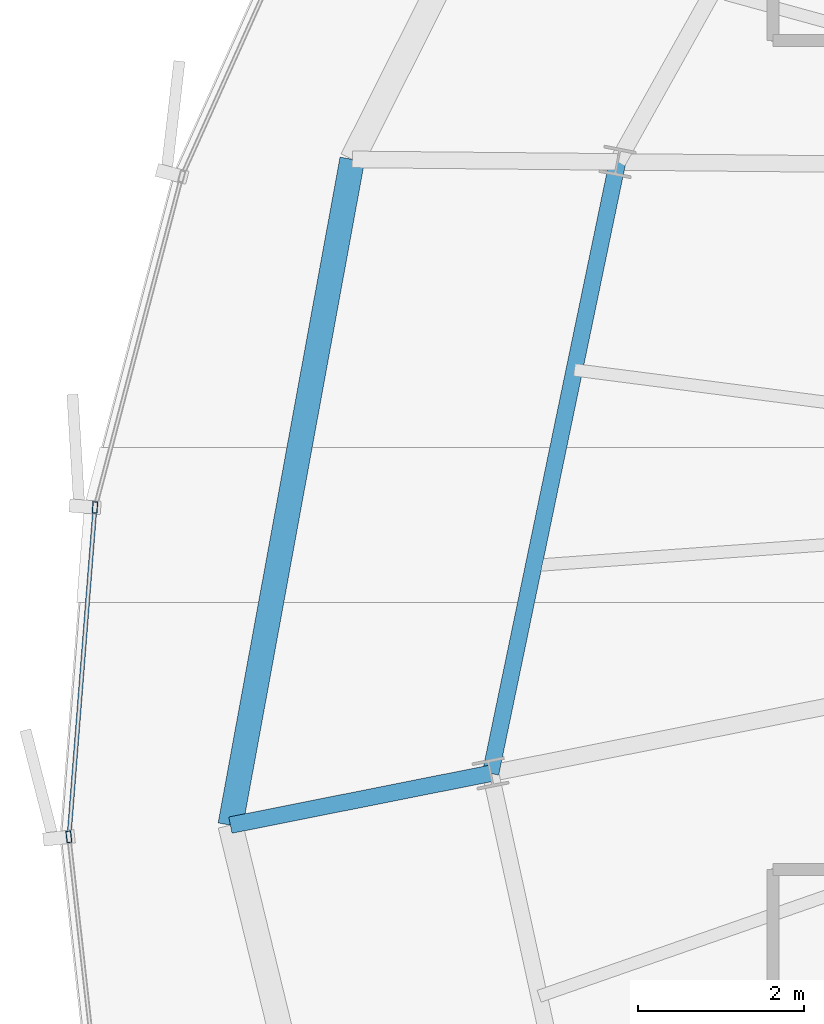
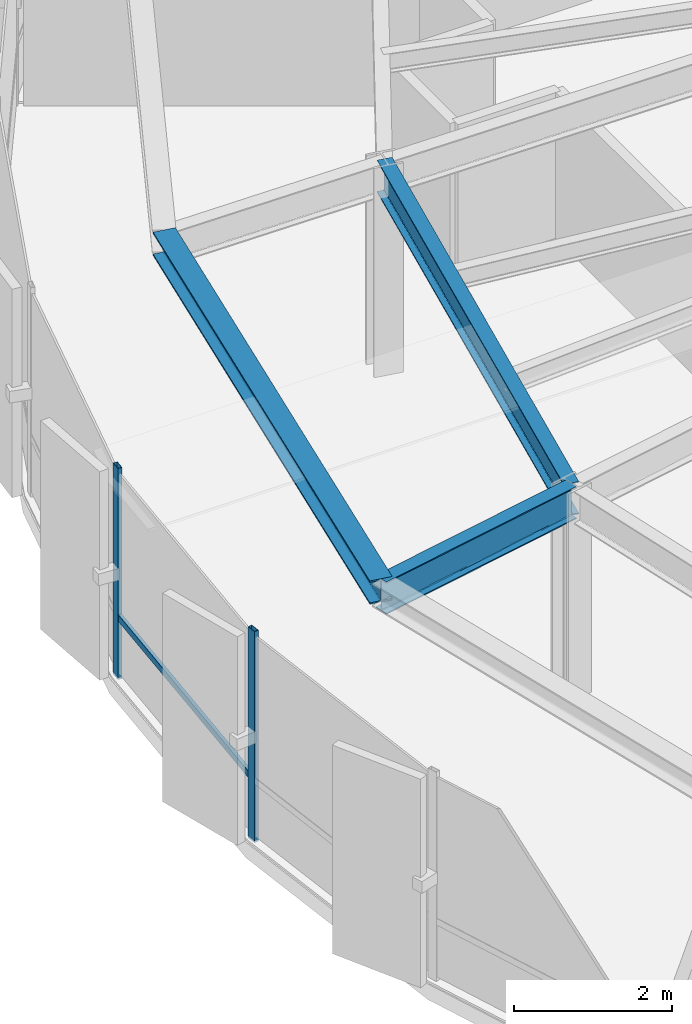
# One storey, part 9 of 35: 3 beams, 3 members, 1 element without a shape of its own.
"""IFC4 building model written with IfcOpenShell, lengths in metres."""

from ifc_helpers import new_model, si_unit, direction, frame, origin, origin_2d, place, context, subcontext, project, spatial, hollow_rectangle, i_section, extrude, source, transform, mapped, material, layer, layer_set, material_profile, profile_set, type_object, element, aggregate, save


model = new_model("IFC4")

# Units and contexts
model_context = context("Model", 3, precision=1e-05, world=origin(), true_north=direction((0.0, 1.0)))
body_context = subcontext(model_context, "Body", "Model", "MODEL_VIEW")
ifc_project = project(units=[si_unit("LENGTHUNIT", "METRE"), si_unit("AREAUNIT", "SQUARE_METRE"), si_unit("VOLUMEUNIT", "CUBIC_METRE"), si_unit("PLANEANGLEUNIT", "RADIAN"), si_unit("MASSUNIT", "GRAM", prefix="KILO"), si_unit("THERMODYNAMICTEMPERATUREUNIT", "KELVIN")], contexts=[model_context])

# Site, building, storey
site_placement = place(None, origin())
site = spatial("IfcSite", under=ifc_project, at=site_placement, CompositionType="ELEMENT")
building_placement = place(site_placement, origin())
building = spatial("IfcBuilding", under=site, at=building_placement, Name="Kethvar Cultural Tower", CompositionType="ELEMENT")
storey_placement = place(building_placement, frame((0.0, 0.0, 179.89990234375)))
storey = spatial("IfcBuildingStorey", under=building, at=storey_placement, Name="L46", CompositionType="ELEMENT", Elevation=179.89990234375)

# Beams
ifc_material_1 = material(Name="Steel S355J2", Category="steel")
ifc_material_profile_1 = material_profile(ifc_material_1, i_section(OverallWidth=0.199951171875, OverallDepth=0.5, WebThickness=0.01025390625, FlangeThickness=0.01611328125, FilletRadius=0.02099609375, at=origin_2d()), Name="Steel S355J2 — IPE500")
ifc_profile_set_1 = profile_set([ifc_material_profile_1], Name="Steel S355J2 — IPE500")
beam_type_1 = type_object("IfcBeamType", Name="BM-IPE500", PredefinedType="BEAM", material=ifc_profile_set_1)
shared_shape_1 = source(origin(), body_context, "Body", "SweptSolid", [
    extrude(i_section(OverallWidth=0.199951171875, OverallDepth=0.5, WebThickness=0.01025390625, FlangeThickness=0.01611328125, FilletRadius=0.02099609375, at=origin_2d()), origin(), (0.0, 0.0, 1.0), 3.199951171875),
])
beam_1_placement = place(storey_placement, frame((27.492919921875, 23.959716796875, 3.008056640625), z_axis=(-0.980770949178, -0.195162356126, 0.0), x_axis=(0.195162356126, -0.980770949178, 0.0)))
element("IfcBeam", 1, at=beam_1_placement, inside=storey, type_object=beam_type_1, Name="L46 Perimeter Cantilever Beam RC-09", PredefinedType="BEAM", context=body_context, shape_type="MappedRepresentation", body=[
    mapped(shared_shape_1, transform((0.0, 0.0, 0.0), scale=1.0)),
])
shared_shape_2 = source(origin(), body_context, "Body", "SweptSolid", [
    extrude(i_section(OverallWidth=0.199951171875, OverallDepth=0.5, WebThickness=0.01025390625, FlangeThickness=0.01611328125, FilletRadius=0.02099609375, at=origin_2d()), origin(), (0.0, 0.0, 1.0), 7.533447265625),
])
beam_2_placement = place(storey_placement, frame((29.02490234375, 31.335693359375, 3.008056640625), z_axis=(-0.203358905185, -0.979104261906, 0.0), x_axis=(0.979104261906, -0.203358905185, 0.0)))
element("IfcBeam", 2, at=beam_2_placement, inside=storey, type_object=beam_type_1, Name="L46 Column Ring Tie Beam CR-08", PredefinedType="BEAM", context=body_context, shape_type="MappedRepresentation", body=[
    mapped(shared_shape_2, transform((0.0, 0.0, 0.0), scale=1.0)),
])
ifc_material_profile_2 = material_profile(ifc_material_1, i_section(OverallWidth=0.300048828125, OverallDepth=0.360107421875, WebThickness=0.012451171875, FlangeThickness=0.0224609375, FilletRadius=0.027099609375, at=origin_2d()), Name="Steel S355J2 — HEB360")
ifc_profile_set_2 = profile_set([ifc_material_profile_2], Name="Steel S355J2 — HEB360")
beam_type_2 = type_object("IfcBeamType", Name="BM-SP360", PredefinedType="SPANDREL", material=ifc_profile_set_2)
shared_shape_3 = source(origin(), body_context, "Body", "SweptSolid", [
    extrude(i_section(OverallWidth=0.300048828125, OverallDepth=0.360107421875, WebThickness=0.012451171875, FlangeThickness=0.0224609375, FilletRadius=0.027099609375, at=origin_2d()), origin(), (0.0, 0.0, 1.0), 8.16455078125),
])
beam_3_placement = place(storey_placement, frame((25.824951171875, 31.3662109375, 3.078125), z_axis=(-0.180103654572, -0.983647636916, 0.0), x_axis=(0.983647636916, -0.180103654572, 0.0)))
element("IfcBeam", 3, at=beam_3_placement, inside=storey, type_object=beam_type_2, Name="L46 Perimeter Spandrel Beam SP-08", PredefinedType="SPANDREL", context=body_context, shape_type="MappedRepresentation", body=[
    mapped(shared_shape_3, transform((0.0, 0.0, 0.0), scale=1.0)),
])

# Curtain wall, members
ifc_material_2 = material(Name="Aluminium 6063-T6", Category="aluminium")
ifc_layer = layer(ifc_material_2, 0.179931640625, Name="Aluminium 6063-T6", Category="aluminium")
ifc_layer_set = layer_set([ifc_layer], Name="Aluminium 6063-T6 (180 mm)")
curtain_wall_type = type_object("IfcCurtainWallType", Name="CW-SYS-04-Z34", PredefinedType="NOTDEFINED", material=ifc_layer_set)
curtain_wall_placement = place(storey_placement, origin())
curtain_wall = element("IfcCurtainWall", 4, at=curtain_wall_placement, inside=storey, type_object=curtain_wall_type, Name="L46 Curtain Wall Run 03", PredefinedType="NOTDEFINED")
ifc_material_profile_3 = material_profile(ifc_material_2, hollow_rectangle(XDim=0.06005859375, YDim=0.139892578125, WallThickness=0.0048828125, at=origin_2d()), Name="Aluminium 6063-T6 — RHS140x60x5")
ifc_profile_set_3 = profile_set([ifc_material_profile_3], Name="Aluminium 6063-T6 — RHS140x60x5")
member_type_1 = type_object("IfcMemberType", Name="CW-SYS-04-Z34-MUL", PredefinedType="MULLION", material=ifc_profile_set_3)
shared_shape_4 = source(origin(), body_context, "Body", "SweptSolid", [
    extrude(hollow_rectangle(XDim=0.06005859375, YDim=0.139892578125, WallThickness=0.0048828125, at=origin_2d()), origin(), (0.0, 0.0, 1.0), 3.260009765625),
])
member_1_placement = place(storey_placement, frame((22.72119140625, 27.167724609375, 0.0), z_axis=(0.0, 0.0, 1.0), x_axis=(0.996913224258, -0.07851129409, 0.0)))
member_1 = element("IfcMember", 5, at=member_1_placement, type_object=member_type_1, Name="CW-L46-R03 Mullion 3", PredefinedType="MULLION", context=body_context, shape_type="MappedRepresentation", body=[
    mapped(shared_shape_4, transform((0.0, 0.0, 0.0), scale=1.0)),
])
member_2_placement = place(storey_placement, frame((22.40625, 23.194580078125, 0.0), z_axis=(0.0, 0.0, 1.0), x_axis=(0.993831955823, 0.110896544517, 0.0)))
member_2 = element("IfcMember", 6, at=member_2_placement, type_object=member_type_1, Name="CW-L46-R03 Mullion 4", PredefinedType="MULLION", context=body_context, shape_type="MappedRepresentation", body=[
    mapped(shared_shape_4, transform((0.0, 0.0, 0.0), scale=1.0)),
])
ifc_material_profile_4 = material_profile(ifc_material_2, hollow_rectangle(XDim=0.050048828125, YDim=0.10009765625, WallThickness=0.00390625, at=origin_2d()), Name="Aluminium 6063-T6 — RHS100x50x4")
ifc_profile_set_4 = profile_set([ifc_material_profile_4], Name="Aluminium 6063-T6 — RHS100x50x4")
member_type_2 = type_object("IfcMemberType", Name="CW-SYS-04-Z34-TRN", PredefinedType="USERDEFINED", material=ifc_profile_set_4)
shared_shape_5 = source(origin(), body_context, "Body", "SweptSolid", [
    extrude(hollow_rectangle(XDim=0.050048828125, YDim=0.10009765625, WallThickness=0.00390625, at=origin_2d()), origin(), (0.0, 0.0, 1.0), 3.919921875),
])
member_3_placement = place(storey_placement, frame((22.7177734375, 27.12451171875, 0.9501953125), z_axis=(-0.078539595445, -0.996910994998, 0.0), x_axis=(0.996910994998, -0.078539595445, 0.0)))
member_3 = element("IfcMember", 7, at=member_3_placement, type_object=member_type_2, Name="CW-L46-R03 Transom 3", ObjectType="TRANSOM", PredefinedType="USERDEFINED", context=body_context, shape_type="MappedRepresentation", body=[
    mapped(shared_shape_5, transform((0.0, 0.0, 0.0), scale=1.0)),
])
aggregate(curtain_wall, [member_1, member_2, member_3])

save(model, "model.ifc")
